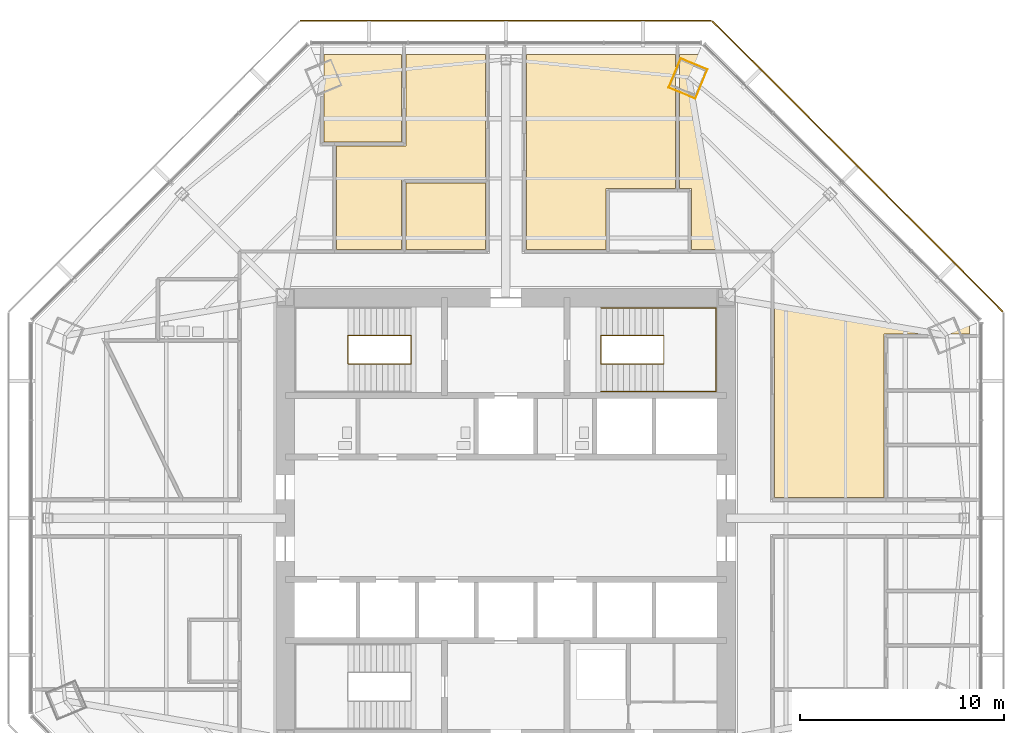
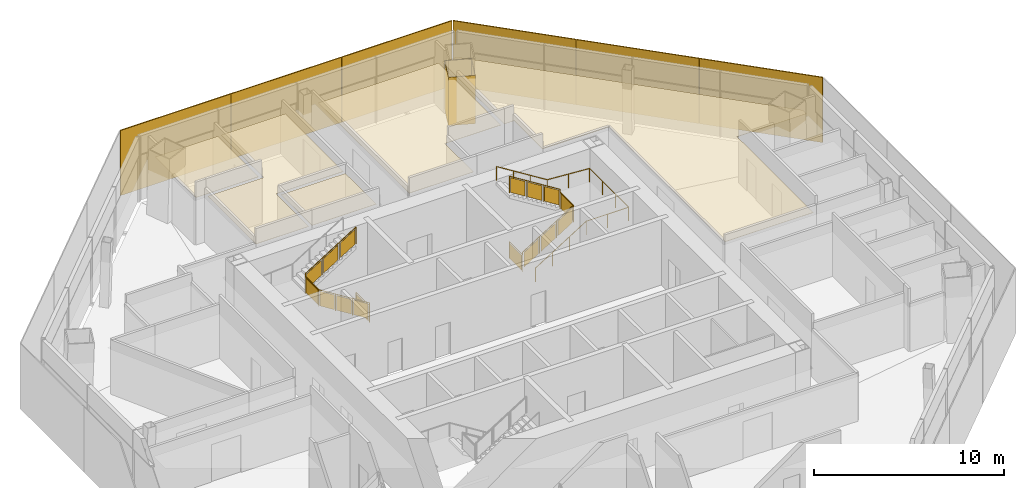
# One storey, part 14 of 15: 6 coverings, 6 shading devices, 3 railings.
"""IFC4 building model written with IfcOpenShell, lengths in metres."""

from ifc_helpers import new_model, si_unit, direction, frame, origin, origin_2d, place, context, subcontext, project, spatial, polyline, rectangle, circle, outline, extrude, source, transform, mapped, material, layer, layer_set, type_object, type_shapes, element, save


model = new_model("IFC4")

# Units and contexts
model_context = context("Model", 3, precision=1e-05, world=origin(), true_north=direction((0.0, 1.0)))
body_context = subcontext(model_context, "Body", "Model", "MODEL_VIEW")
ifc_project = project(units=[si_unit("LENGTHUNIT", "METRE"), si_unit("AREAUNIT", "SQUARE_METRE"), si_unit("VOLUMEUNIT", "CUBIC_METRE"), si_unit("PLANEANGLEUNIT", "RADIAN"), si_unit("MASSUNIT", "GRAM", prefix="KILO")], contexts=[model_context])

# Site, building, storey
site_placement = place(None, origin())
site = spatial("IfcSite", under=ifc_project, at=site_placement, CompositionType="ELEMENT")
building_placement = place(site_placement, origin())
building = spatial("IfcBuilding", under=site, at=building_placement, Name="Mashrafa Tower", CompositionType="ELEMENT")
storey_placement = place(building_placement, frame((0.0, 0.0, 168.0)))
storey = spatial("IfcBuildingStorey", under=building, at=storey_placement, Name="L38", CompositionType="ELEMENT", Elevation=168.0)

# Covering
ifc_material_1 = material(Name="Gypsum board")
ifc_layer_1 = layer(ifc_material_1, 0.014892578125)
ifc_layer_set_1 = layer_set([ifc_layer_1], Name="Column casing plasterboard 15")
covering_type_1 = type_object("IfcCoveringType", Name="Column casing plasterboard 15", PredefinedType="CLADDING", material=ifc_layer_set_1)
covering_1_placement = place(storey_placement, origin())
element("IfcCovering", 1, at=covering_1_placement, inside=storey, type_object=covering_type_1, Name="Column casing L38-001", PredefinedType="CLADDING", context=body_context, shape_type="SweptSolid", body=[
    extrude(outline(polyline([(7.956787109375, 21.077880859375), (8.5537109375, 22.5185546875), (9.874755859375, 21.97119140625), (9.3330078125, 20.663330078125), (9.278076171875, 20.53076171875), (7.956787109375, 21.077880859375)]), holes=[polyline([(9.319091796875, 20.669189453125), (9.85498046875, 21.963134765625), (8.561767578125, 22.498779296875), (7.9765625, 21.086181640625), (9.27001953125, 20.55029296875), (9.319091796875, 20.669189453125)])]), origin(), (0.0, 0.0, 1.0), 3.097900390625),
])

# Railings
ifc_material_2 = material(Name="Steel guard with glass infill", Category="steel")
railing_type_1 = type_object("IfcRailingType", Name="Stair guard 1100", PredefinedType="GUARDRAIL", material=ifc_material_2)
railing_1_placement = place(storey_placement, frame((-4.64990234375, 8.949951171875, 0.0)))
element("IfcRailing", 2, at=railing_1_placement, inside=storey, type_object=railing_type_1, Name="Stair S1 guard L38", PredefinedType="GUARDRAIL", context=body_context, shape_type="SweptSolid", body=[
    extrude(circle(Radius=0.02392578125, at=origin_2d()), frame((0.0, 0.0, 1.076171875), z_axis=(0.0, -1.0, 0.0), x_axis=(1.0, 0.0, 0.0)), (0.0, 0.0, 1.0), 1.39990234375),
    extrude(circle(Radius=0.02392578125, at=origin_2d()), frame((0.0, -1.39990234375, 1.076171875), z_axis=(0.0, 0.0, 1.0), x_axis=(1.0, 0.0, 0.0)), (0.0, 0.0, 1.0), 0.175048828125),
    extrude(circle(Radius=0.02392578125, at=origin_2d()), frame((0.0, -1.39990234375, 1.2509765625), z_axis=(-0.847998304005, 0.0, 0.529998940003), x_axis=(0.0, -1.0, 0.0)), (0.0, 0.0, 1.0), 3.632080078125),
    extrude(circle(Radius=0.02392578125, at=origin_2d()), frame((-3.080078125, -1.39990234375, 3.17626953125), z_axis=(0.0, 1.0, 0.0), x_axis=(-1.0, 0.0, 0.0)), (0.0, 0.0, 1.0), 1.39990234375),
    extrude(circle(Radius=0.02392578125, at=origin_2d()), frame((-3.080078125, 0.0, 3.17626953125), z_axis=(0.0, 0.0, 1.0), x_axis=(1.0, 0.0, 0.0)), (0.0, 0.0, 1.0), 0.1748046875),
    extrude(circle(Radius=0.02392578125, at=origin_2d()), frame((-3.080078125, 0.0, 3.35107421875), z_axis=(0.847998304005, 0.0, 0.529998940003), x_axis=(0.0, 1.0, 0.0)), (0.0, 0.0, 1.0), 3.632080078125),
    extrude(circle(Radius=0.02099609375, at=origin_2d()), origin(), (0.0, 0.0, 1.0), 1.052001953125),
    extrude(circle(Radius=0.02099609375, at=origin_2d()), frame((0.0, -1.39990234375, 0.0)), (0.0, 0.0, 1.0), 1.052001953125),
    extrude(circle(Radius=0.02099609375, at=origin_2d()), frame((0.0, -1.39990234375, 0.175048828125)), (0.0, 0.0, 1.0), 1.052001953125),
    extrude(circle(Radius=0.02099609375, at=origin_2d()), frame((-1.026611328125, -1.39990234375, 0.816650390625)), (0.0, 0.0, 1.0), 1.052001953125),
    extrude(circle(Radius=0.02099609375, at=origin_2d()), frame((-2.053466796875, -1.39990234375, 1.45849609375)), (0.0, 0.0, 1.0), 1.052001953125),
    extrude(circle(Radius=0.02099609375, at=origin_2d()), frame((-3.080078125, -1.39990234375, 2.10009765625)), (0.0, 0.0, 1.0), 1.052001953125),
    extrude(circle(Radius=0.02099609375, at=origin_2d()), frame((-3.080078125, 0.0, 2.10009765625)), (0.0, 0.0, 1.0), 1.052001953125),
    extrude(circle(Radius=0.02099609375, at=origin_2d()), frame((-3.080078125, 0.0, 2.27490234375)), (0.0, 0.0, 1.0), 1.052001953125),
    extrude(circle(Radius=0.02099609375, at=origin_2d()), frame((-2.053466796875, 0.0, 2.91650390625)), (0.0, 0.0, 1.0), 1.052001953125),
    extrude(circle(Radius=0.02099609375, at=origin_2d()), frame((-1.026611328125, 0.0, 3.558349609375)), (0.0, 0.0, 1.0), 1.052001953125),
    extrude(circle(Radius=0.02099609375, at=origin_2d()), frame((0.0, 0.0, 4.199951171875)), (0.0, 0.0, 1.0), 1.052001953125),
    extrude(outline(polyline([(0.071044921875, 0.050048828125), (1.328857421875, 0.050048828125), (1.328857421875, 1.001953125), (0.071044921875, 1.001953125), (0.071044921875, 0.050048828125)])), frame((-0.006103515625, 0.0, 0.0), z_axis=(-1.0, 0.0, 0.0), x_axis=(0.0, -1.0, 0.0)), (0.0, 0.0, 1.0), 0.011962890625),
    extrude(outline(polyline([(0.071044921875, 0.094482421875), (0.955810546875, 0.647216796875), (0.955810546875, 1.599365234375), (0.071044921875, 1.04638671875), (0.071044921875, 0.094482421875)])), frame((0.0, -1.393798828125, 0.175048828125), z_axis=(0.0, 1.0, 0.0), x_axis=(-1.0, 0.0, 0.0)), (0.0, 0.0, 1.0), 0.011962890625),
    extrude(outline(polyline([(1.09765625, 0.736083984375), (1.982421875, 1.2890625), (1.982421875, 2.240966796875), (1.09765625, 1.68798828125), (1.09765625, 0.736083984375)])), frame((0.0, -1.393798828125, 0.175048828125), z_axis=(0.0, 1.0, 0.0), x_axis=(-1.0, 0.0, 0.0)), (0.0, 0.0, 1.0), 0.011962890625),
    extrude(outline(polyline([(2.124267578125, 1.377685546875), (3.009033203125, 1.9306640625), (3.009033203125, 2.882568359375), (2.124267578125, 2.329833984375), (2.124267578125, 1.377685546875)])), frame((0.0, -1.393798828125, 0.175048828125), z_axis=(0.0, 1.0, 0.0), x_axis=(-1.0, 0.0, 0.0)), (0.0, 0.0, 1.0), 0.011962890625),
    extrude(outline(polyline([(0.071044921875, 0.050048828125), (1.328857421875, 0.050048828125), (1.328857421875, 1.001953125), (0.071044921875, 1.001953125), (0.071044921875, 0.050048828125)])), frame((-3.073974609375, -1.39990234375, 2.10009765625), z_axis=(1.0, 0.0, 0.0), x_axis=(0.0, 1.0, 0.0)), (0.0, 0.0, 1.0), 0.011962890625),
    extrude(outline(polyline([(0.071044921875, 0.094482421875), (0.955810546875, 0.647216796875), (0.955810546875, 1.599365234375), (0.071044921875, 1.04638671875), (0.071044921875, 0.094482421875)])), frame((-3.080078125, -0.006103515625, 2.27490234375), z_axis=(0.0, -1.0, 0.0), x_axis=(1.0, 0.0, 0.0)), (0.0, 0.0, 1.0), 0.011962890625),
    extrude(outline(polyline([(1.09765625, 0.736083984375), (1.982421875, 1.2890625), (1.982421875, 2.240966796875), (1.09765625, 1.68798828125), (1.09765625, 0.736083984375)])), frame((-3.080078125, -0.006103515625, 2.27490234375), z_axis=(0.0, -1.0, 0.0), x_axis=(1.0, 0.0, 0.0)), (0.0, 0.0, 1.0), 0.011962890625),
    extrude(outline(polyline([(2.124267578125, 1.377685546875), (3.009033203125, 1.9306640625), (3.009033203125, 2.882568359375), (2.124267578125, 2.329833984375), (2.124267578125, 1.377685546875)])), frame((-3.080078125, -0.006103515625, 2.27490234375), z_axis=(0.0, -1.0, 0.0), x_axis=(1.0, 0.0, 0.0)), (0.0, 0.0, 1.0), 0.011962890625),
])
railing_2_placement = place(storey_placement, frame((4.64990234375, 8.949951171875, 0.0)))
element("IfcRailing", 3, at=railing_2_placement, inside=storey, type_object=railing_type_1, Name="Stair S2 guard L38", PredefinedType="GUARDRAIL", context=body_context, shape_type="SweptSolid", body=[
    extrude(circle(Radius=0.02392578125, at=origin_2d()), frame((0.0, 0.0, 1.076171875), z_axis=(0.0, -1.0, 0.0), x_axis=(1.0, 0.0, 0.0)), (0.0, 0.0, 1.0), 1.39990234375),
    extrude(circle(Radius=0.02392578125, at=origin_2d()), frame((0.0, -1.39990234375, 1.076171875), z_axis=(0.0, 0.0, 1.0), x_axis=(1.0, 0.0, 0.0)), (0.0, 0.0, 1.0), 0.175048828125),
    extrude(circle(Radius=0.02392578125, at=origin_2d()), frame((0.0, -1.39990234375, 1.2509765625), z_axis=(0.847998304005, 0.0, 0.529998940003), x_axis=(0.0, 1.0, 0.0)), (0.0, 0.0, 1.0), 3.632080078125),
    extrude(circle(Radius=0.02392578125, at=origin_2d()), frame((3.080078125, -1.39990234375, 3.17626953125), z_axis=(0.0, 1.0, 0.0), x_axis=(-1.0, 0.0, 0.0)), (0.0, 0.0, 1.0), 1.39990234375),
    extrude(circle(Radius=0.02392578125, at=origin_2d()), frame((3.080078125, 0.0, 3.17626953125), z_axis=(0.0, 0.0, 1.0), x_axis=(1.0, 0.0, 0.0)), (0.0, 0.0, 1.0), 0.1748046875),
    extrude(circle(Radius=0.02392578125, at=origin_2d()), frame((3.080078125, 0.0, 3.35107421875), z_axis=(-0.847998304005, 0.0, 0.529998940003), x_axis=(0.0, -1.0, 0.0)), (0.0, 0.0, 1.0), 3.632080078125),
    extrude(circle(Radius=0.02099609375, at=origin_2d()), origin(), (0.0, 0.0, 1.0), 1.052001953125),
    extrude(circle(Radius=0.02099609375, at=origin_2d()), frame((0.0, -1.39990234375, 0.0)), (0.0, 0.0, 1.0), 1.052001953125),
    extrude(circle(Radius=0.02099609375, at=origin_2d()), frame((0.0, -1.39990234375, 0.175048828125)), (0.0, 0.0, 1.0), 1.052001953125),
    extrude(circle(Radius=0.02099609375, at=origin_2d()), frame((1.026611328125, -1.39990234375, 0.816650390625)), (0.0, 0.0, 1.0), 1.052001953125),
    extrude(circle(Radius=0.02099609375, at=origin_2d()), frame((2.053466796875, -1.39990234375, 1.45849609375)), (0.0, 0.0, 1.0), 1.052001953125),
    extrude(circle(Radius=0.02099609375, at=origin_2d()), frame((3.080078125, -1.39990234375, 2.10009765625)), (0.0, 0.0, 1.0), 1.052001953125),
    extrude(circle(Radius=0.02099609375, at=origin_2d()), frame((3.080078125, 0.0, 2.10009765625)), (0.0, 0.0, 1.0), 1.052001953125),
    extrude(circle(Radius=0.02099609375, at=origin_2d()), frame((3.080078125, 0.0, 2.27490234375)), (0.0, 0.0, 1.0), 1.052001953125),
    extrude(circle(Radius=0.02099609375, at=origin_2d()), frame((2.053466796875, 0.0, 2.91650390625)), (0.0, 0.0, 1.0), 1.052001953125),
    extrude(circle(Radius=0.02099609375, at=origin_2d()), frame((1.026611328125, 0.0, 3.558349609375)), (0.0, 0.0, 1.0), 1.052001953125),
    extrude(circle(Radius=0.02099609375, at=origin_2d()), frame((0.0, 0.0, 4.199951171875)), (0.0, 0.0, 1.0), 1.052001953125),
    extrude(outline(polyline([(0.071044921875, 0.050048828125), (1.328857421875, 0.050048828125), (1.328857421875, 1.001953125), (0.071044921875, 1.001953125), (0.071044921875, 0.050048828125)])), frame((-0.006103515625, 0.0, 0.0), z_axis=(-1.0, 0.0, 0.0), x_axis=(0.0, -1.0, 0.0)), (0.0, 0.0, 1.0), 0.011962890625),
    extrude(outline(polyline([(0.071044921875, 0.094482421875), (0.955810546875, 0.647216796875), (0.955810546875, 1.599365234375), (0.071044921875, 1.04638671875), (0.071044921875, 0.094482421875)])), frame((0.0, -1.406005859375, 0.175048828125), z_axis=(0.0, -1.0, 0.0), x_axis=(1.0, 0.0, 0.0)), (0.0, 0.0, 1.0), 0.011962890625),
    extrude(outline(polyline([(1.09765625, 0.736083984375), (1.982421875, 1.2890625), (1.982421875, 2.240966796875), (1.09765625, 1.68798828125), (1.09765625, 0.736083984375)])), frame((0.0, -1.406005859375, 0.175048828125), z_axis=(0.0, -1.0, 0.0), x_axis=(1.0, 0.0, 0.0)), (0.0, 0.0, 1.0), 0.011962890625),
    extrude(outline(polyline([(2.124267578125, 1.377685546875), (3.009033203125, 1.9306640625), (3.009033203125, 2.882568359375), (2.124267578125, 2.329833984375), (2.124267578125, 1.377685546875)])), frame((0.0, -1.406005859375, 0.175048828125), z_axis=(0.0, -1.0, 0.0), x_axis=(1.0, 0.0, 0.0)), (0.0, 0.0, 1.0), 0.011962890625),
    extrude(outline(polyline([(0.071044921875, 0.050048828125), (1.328857421875, 0.050048828125), (1.328857421875, 1.001953125), (0.071044921875, 1.001953125), (0.071044921875, 0.050048828125)])), frame((3.086181640625, -1.39990234375, 2.10009765625), z_axis=(1.0, 0.0, 0.0), x_axis=(0.0, 1.0, 0.0)), (0.0, 0.0, 1.0), 0.011962890625),
    extrude(outline(polyline([(0.071044921875, 0.094482421875), (0.955810546875, 0.647216796875), (0.955810546875, 1.599365234375), (0.071044921875, 1.04638671875), (0.071044921875, 0.094482421875)])), frame((3.080078125, 0.006103515625, 2.27490234375), z_axis=(0.0, 1.0, 0.0), x_axis=(-1.0, 0.0, 0.0)), (0.0, 0.0, 1.0), 0.011962890625),
    extrude(outline(polyline([(1.09765625, 0.736083984375), (1.982421875, 1.2890625), (1.982421875, 2.240966796875), (1.09765625, 1.68798828125), (1.09765625, 0.736083984375)])), frame((3.080078125, 0.006103515625, 2.27490234375), z_axis=(0.0, 1.0, 0.0), x_axis=(-1.0, 0.0, 0.0)), (0.0, 0.0, 1.0), 0.011962890625),
    extrude(outline(polyline([(2.124267578125, 1.377685546875), (3.009033203125, 1.9306640625), (3.009033203125, 2.882568359375), (2.124267578125, 2.329833984375), (2.124267578125, 1.377685546875)])), frame((3.080078125, 0.006103515625, 2.27490234375), z_axis=(0.0, 1.0, 0.0), x_axis=(-1.0, 0.0, 0.0)), (0.0, 0.0, 1.0), 0.011962890625),
])
ifc_material_3 = material(Name="Steel", Category="steel")
railing_type_2 = type_object("IfcRailingType", Name="Stair handrail 900", PredefinedType="HANDRAIL", material=ifc_material_3)
railing_3_placement = place(storey_placement, frame((4.64990234375, 6.199951171875, 0.175048828125)))
element("IfcRailing", 4, at=railing_3_placement, inside=storey, type_object=railing_type_2, Name="Stair S2 handrail L38", PredefinedType="HANDRAIL", context=body_context, shape_type="SweptSolid", body=[
    extrude(circle(Radius=0.02392578125, at=origin_2d()), frame((0.0, 0.0, 0.8759765625), z_axis=(0.847998304005, 0.0, 0.529998940003), x_axis=(0.0, 1.0, 0.0)), (0.0, 0.0, 1.0), 3.632080078125),
    extrude(circle(Radius=0.02392578125, at=origin_2d()), frame((3.080078125, 0.0, 2.80078125), z_axis=(1.0, 0.0, 0.0), x_axis=(0.0, 1.0, 0.0)), (0.0, 0.0, 1.0), 2.570068359375),
    extrude(circle(Radius=0.02392578125, at=origin_2d()), frame((5.650146484375, 0.0, 2.80078125), z_axis=(0.0, 1.0, 0.0), x_axis=(-1.0, 0.0, 0.0)), (0.0, 0.0, 1.0), 4.10009765625),
    extrude(circle(Radius=0.02392578125, at=origin_2d()), frame((5.650146484375, 4.10009765625, 2.80078125), z_axis=(-0.99769493506, 0.0, 0.067858798661), x_axis=(0.0, -1.0, 0.0)), (0.0, 0.0, 1.0), 2.575927734375),
    extrude(circle(Radius=0.02392578125, at=origin_2d()), frame((3.080078125, 4.10009765625, 2.9755859375), z_axis=(-0.847998304005, 0.0, 0.529998940003), x_axis=(0.0, -1.0, 0.0)), (0.0, 0.0, 1.0), 3.632080078125),
    extrude(circle(Radius=0.02099609375, at=origin_2d()), origin(), (0.0, 0.0, 1.0), 0.851806640625),
    extrude(circle(Radius=0.02099609375, at=origin_2d()), frame((1.026611328125, 0.0, 0.6416015625)), (0.0, 0.0, 1.0), 0.851806640625),
    extrude(circle(Radius=0.02099609375, at=origin_2d()), frame((2.053466796875, 0.0, 1.283447265625)), (0.0, 0.0, 1.0), 0.851806640625),
    extrude(circle(Radius=0.02099609375, at=origin_2d()), frame((3.080078125, 0.0, 1.925048828125)), (0.0, 0.0, 1.0), 0.851806640625),
    extrude(circle(Radius=0.02099609375, at=origin_2d()), frame((4.365234375, 0.0, 1.925048828125)), (0.0, 0.0, 1.0), 0.851806640625),
    extrude(circle(Radius=0.02099609375, at=origin_2d()), frame((5.650146484375, 0.0, 1.925048828125)), (0.0, 0.0, 1.0), 0.851806640625),
    extrude(circle(Radius=0.02099609375, at=origin_2d()), frame((5.650146484375, 1.36669921875, 1.925048828125)), (0.0, 0.0, 1.0), 0.851806640625),
    extrude(circle(Radius=0.02099609375, at=origin_2d()), frame((5.650146484375, 2.7333984375, 1.925048828125)), (0.0, 0.0, 1.0), 0.851806640625),
    extrude(circle(Radius=0.02099609375, at=origin_2d()), frame((5.650146484375, 4.10009765625, 1.925048828125)), (0.0, 0.0, 1.0), 0.851806640625),
    extrude(circle(Radius=0.02099609375, at=origin_2d()), frame((4.365234375, 4.10009765625, 2.012451171875)), (0.0, 0.0, 1.0), 0.851806640625),
    extrude(circle(Radius=0.02099609375, at=origin_2d()), frame((3.080078125, 4.10009765625, 2.099853515625)), (0.0, 0.0, 1.0), 0.851806640625),
    extrude(circle(Radius=0.02099609375, at=origin_2d()), frame((2.053466796875, 4.10009765625, 2.741455078125)), (0.0, 0.0, 1.0), 0.851806640625),
    extrude(circle(Radius=0.02099609375, at=origin_2d()), frame((1.026611328125, 4.10009765625, 3.38330078125)), (0.0, 0.0, 1.0), 0.851806640625),
    extrude(circle(Radius=0.02099609375, at=origin_2d()), frame((0.0, 4.10009765625, 4.02490234375)), (0.0, 0.0, 1.0), 0.851806640625),
])

# Coverings
ifc_material_4 = material(Name="Mineral fibre tile on suspension grid")
ifc_layer_2 = layer(ifc_material_4, 0.014892578125)
ifc_layer_set_2 = layer_set([ifc_layer_2], Name="Suspended ceiling mineral tile 15")
covering_type_2 = type_object("IfcCoveringType", Name="Suspended ceiling mineral tile 15", PredefinedType="CEILING", material=ifc_layer_set_2)
covering_2_placement = place(storey_placement, frame((0.0, 0.0, 2.89990234375)))
element("IfcCovering", 5, at=covering_2_placement, inside=storey, type_object=covering_type_2, Name="Ceiling Reception 38-1", PredefinedType="CEILING", context=body_context, shape_type="SweptSolid", body=[
    extrude(outline(polyline([(-4.89990234375, 16.39990234375), (-1.0, 16.39990234375), (-1.0, 13.14990234375), (-4.89990234375, 13.14990234375), (-4.89990234375, 16.39990234375)])), origin(), (0.0, 0.0, 1.0), 0.01513671875),
])
covering_3_placement = place(storey_placement, frame((0.0, 0.0, 2.89990234375)))
element("IfcCovering", 6, at=covering_3_placement, inside=storey, type_object=covering_type_2, Name="Ceiling Meeting Room 38-1-NW2", PredefinedType="CEILING", context=body_context, shape_type="SweptSolid", body=[
    extrude(outline(polyline([(-8.89990234375, 22.712158203125), (-5.10009765625, 22.712158203125), (-5.10009765625, 18.412109375), (-8.89990234375, 18.412109375), (-8.89990234375, 22.712158203125)])), origin(), (0.0, 0.0, 1.0), 0.01513671875),
])
covering_4_placement = place(storey_placement, frame((0.0, 0.0, 2.89990234375)))
element("IfcCovering", 7, at=covering_4_placement, inside=storey, type_object=covering_type_2, Name="Ceiling Office Tenancy 38-1-NE1", PredefinedType="CEILING", context=body_context, shape_type="SweptSolid", body=[
    extrude(outline(polyline([(8.5, 16.14990234375), (8.5, 22.712158203125), (9.40771484375, 22.712158203125), (22.712158203125, 9.40771484375), (22.712158203125, 9.01611328125), (18.51220703125, 9.01611328125), (18.51220703125, 1.0), (13.14990234375, 1.0), (13.14990234375, 13.14990234375), (9.10009765625, 13.14990234375), (9.10009765625, 16.14990234375), (8.5, 16.14990234375)])), origin(), (0.0, 0.0, 1.0), 0.01513671875),
])
covering_5_placement = place(storey_placement, frame((0.0, 0.0, 2.89990234375)))
element("IfcCovering", 8, at=covering_5_placement, inside=storey, type_object=covering_type_2, Name="Ceiling Office Tenancy 38-2-NE2", PredefinedType="CEILING", context=body_context, shape_type="SweptSolid", body=[
    extrude(outline(polyline([(1.0, 22.712158203125), (8.300048828125, 22.712158203125), (8.300048828125, 16.14990234375), (4.89990234375, 16.14990234375), (4.89990234375, 13.14990234375), (1.0, 13.14990234375), (1.0, 22.712158203125)])), origin(), (0.0, 0.0, 1.0), 0.01513671875),
])
covering_6_placement = place(storey_placement, frame((0.0, 0.0, 2.89990234375)))
element("IfcCovering", 9, at=covering_6_placement, inside=storey, type_object=covering_type_2, Name="Ceiling Office Tenancy 38-1-NW2", PredefinedType="CEILING", context=body_context, shape_type="SweptSolid", body=[
    extrude(outline(polyline([(-8.300048828125, 13.14990234375), (-8.300048828125, 18.212158203125), (-4.89990234375, 18.212158203125), (-4.89990234375, 22.712158203125), (-1.0, 22.712158203125), (-1.0, 16.60009765625), (-5.10009765625, 16.60009765625), (-5.10009765625, 13.14990234375), (-8.300048828125, 13.14990234375)])), origin(), (0.0, 0.0, 1.0), 0.01513671875),
])

# Shading devices
ifc_material_5 = material(Name="Perforated aluminium plate, eight-point star pattern", Category="aluminium")
ifc_layer_3 = layer(ifc_material_5, 0.06005859375)
ifc_layer_set_3 = layer_set([ifc_layer_3], Name="Mashrabiya screen panel office zone 2, 40 percent open")
shading_device_type = type_object("IfcShadingDeviceType", Name="Mashrabiya screen panel office zone 2, 40 percent open", PredefinedType="SHUTTER", material=ifc_layer_set_3)
shared_shape = source(origin(), body_context, "Body", "SweptSolid", [
    extrude(rectangle(XDim=6.6923828125, YDim=0.06005859375, at=origin_2d()), origin(), (0.0, 0.0, 1.0), 4.179931640625),
])
type_shapes(shading_device_type, [shared_shape])
for number, where, z_axis, x_axis, name in (
    (10, (21.97314453125, 12.480224609375, -0.14990234375), (0.0, 0.0, 1.0), (-0.707106781187, 0.707106781187, 0.0), "Mashrabiya screen L38 north-east 1"),
    (11, (17.226806640625, 17.226806640625, -0.14990234375), (0.0, 0.0, 1.0), (-0.707106781187, 0.707106781187, 0.0), "Mashrabiya screen L38 north-east 2"),
    (12, (12.480224609375, 21.97314453125, -0.14990234375), (0.0, 0.0, 1.0), (-0.707106781187, 0.707106781187, 0.0), "Mashrabiya screen L38 north-east 3"),
    (13, (6.71240234375, 24.3623046875, -0.14990234375), (0.0, 0.0, 1.0), (-1.0, 0.0, 0.0), "Mashrabiya screen L38 north 1"),
    (14, (0.0, 24.3623046875, -0.14990234375), (0.0, 0.0, 1.0), (-1.0, 0.0, 0.0), "Mashrabiya screen L38 north 2"),
    (15, (-6.71240234375, 24.3623046875, -0.14990234375), (0.0, 0.0, 1.0), (-1.0, 0.0, 0.0), "Mashrabiya screen L38 north 3"),
):
    element("IfcShadingDevice", number, at=place(storey_placement, frame(where, z_axis=z_axis, x_axis=x_axis)), inside=storey, type_object=shading_device_type, Name=name, PredefinedType="SHUTTER", context=body_context, shape_type="MappedRepresentation", body=[
        mapped(shared_shape, transform((0.0, 0.0, 0.0))),
    ])

save(model, "model.ifc")
